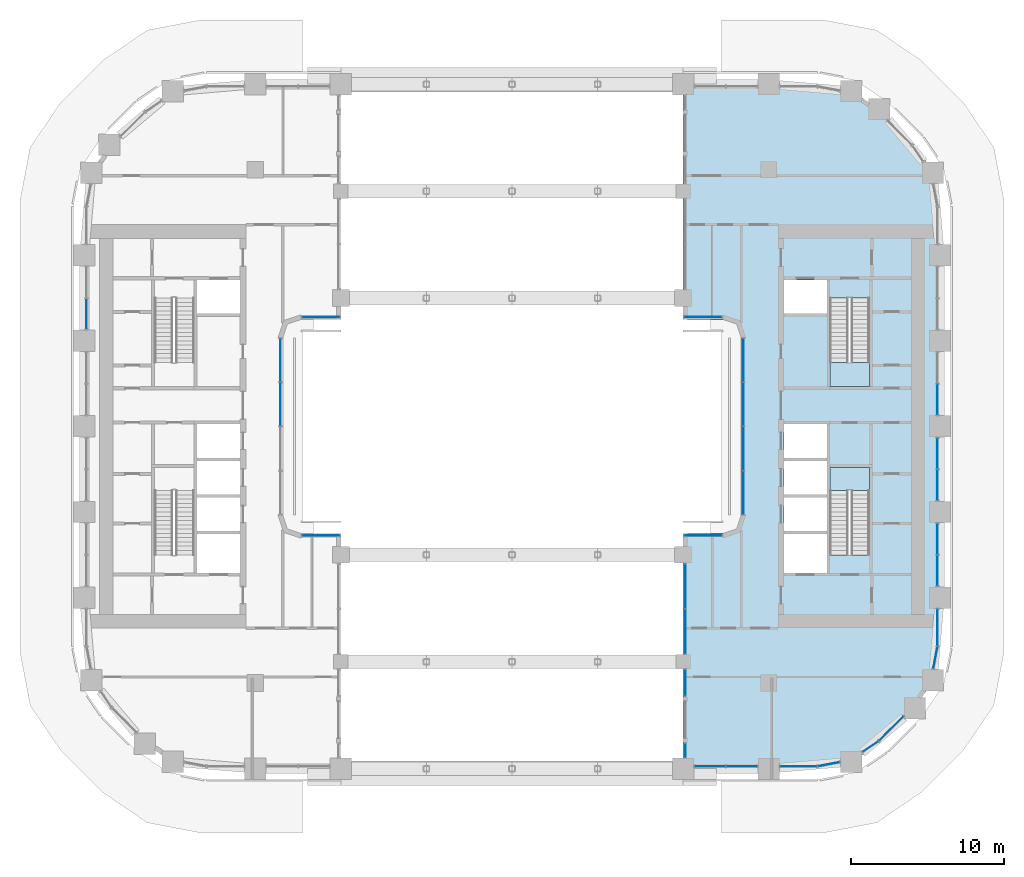
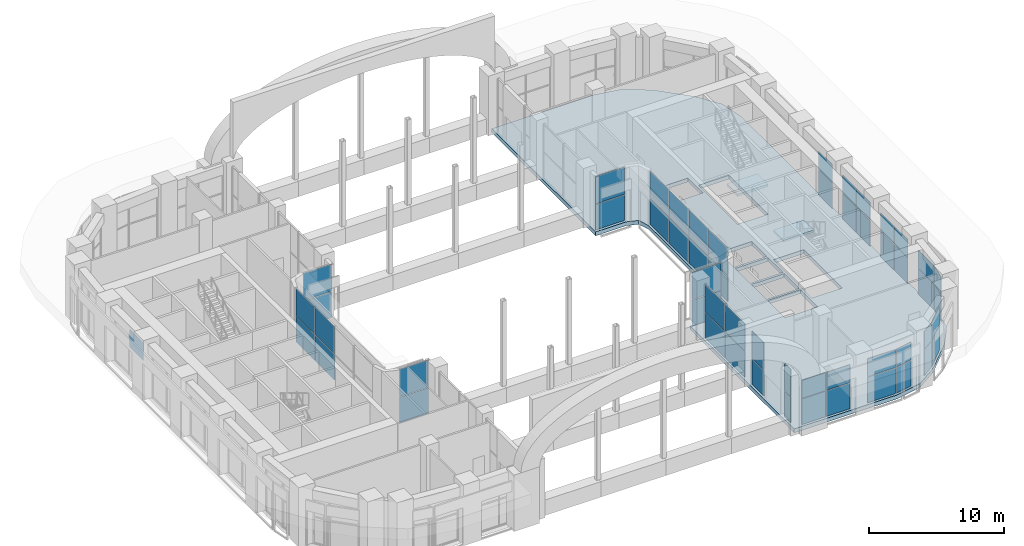
# One storey, part 12 of 27: 55 plates, 3 slabs, 22 elements without a shape of their own.
"""IFC4 building model written with IfcOpenShell, lengths in metres."""

from ifc_helpers import new_model, si_unit, direction, frame, origin, origin_2d, place, context, subcontext, project, spatial, polyline, rectangle, outline, extrude, material, layer, layer_set, type_object, element, aggregate, save


model = new_model("IFC4")

# Units and contexts
model_context = context("Model", 3, precision=1e-05, world=origin(), true_north=direction((0.0, 1.0)))
body_context = subcontext(model_context, "Body", "Model", "MODEL_VIEW")
ifc_project = project(units=[si_unit("LENGTHUNIT", "METRE"), si_unit("AREAUNIT", "SQUARE_METRE"), si_unit("VOLUMEUNIT", "CUBIC_METRE"), si_unit("PLANEANGLEUNIT", "RADIAN"), si_unit("MASSUNIT", "GRAM", prefix="KILO")], contexts=[model_context])

# Site, building, storey
site_placement = place(None, origin())
site = spatial("IfcSite", under=ifc_project, at=site_placement, CompositionType="ELEMENT")
building_placement = place(site_placement, origin())
building = spatial("IfcBuilding", under=site, at=building_placement, Name="Kiln Ring Residences", CompositionType="ELEMENT")
storey_placement = place(building_placement, frame((0.0, 0.0, 72.5)))
storey = spatial("IfcBuildingStorey", under=building, at=storey_placement, Name="L18", CompositionType="ELEMENT", Elevation=72.5)

# Stair, slab
ifc_material_1 = material(Name="Concrete C40/50", Category="concrete")
stair_type = type_object("IfcStairType", Name="CORE-STAIR", PredefinedType="HALF_TURN_STAIR", material=ifc_material_1)
placement_1 = place(storey_placement, origin())
stair_1 = element("IfcStair", 1, at=placement_1, inside=storey, type_object=stair_type, Name="L18 stair E-STN", PredefinedType="HALF_TURN_STAIR")
ifc_material_2 = material(Name="Concrete C40/50", Category="concrete")
ifc_layer_1 = layer(ifc_material_2, 0.199951171875)
ifc_layer_set_1 = layer_set([ifc_layer_1], Name="CORE-STAIR-LANDING")
slab_type_1 = type_object("IfcSlabType", Name="CORE-STAIR-LANDING", PredefinedType="LANDING", material=ifc_layer_set_1)
placement_2 = place(storey_placement, frame((0.0, 0.0, 2.5)))
slab_1 = element("IfcSlab", 2, at=placement_2, type_object=slab_type_1, Name="E-STN landing 1", PredefinedType="LANDING", context=body_context, shape_type="SweptSolid", body=[
    extrude(outline(polyline([(20.800048828125, 4.199951171875), (20.800048828125, 2.60009765625), (23.39990234375, 2.60009765625), (23.39990234375, 4.199951171875), (20.800048828125, 4.199951171875)])), origin(), (0.0, 0.0, 1.0), 0.199951171875),
])
aggregate(stair_1, [slab_1])

stair_2 = element("IfcStair", 3, at=placement_1, inside=storey, type_object=stair_type, Name="L18 stair E-STS", PredefinedType="HALF_TURN_STAIR")
slab_2 = element("IfcSlab", 4, at=placement_2, type_object=slab_type_1, Name="E-STS landing 1", PredefinedType="LANDING", context=body_context, shape_type="SweptSolid", body=[
    extrude(outline(polyline([(23.39990234375, -4.199951171875), (23.39990234375, -2.699951171875), (20.800048828125, -2.699951171875), (20.800048828125, -4.199951171875), (23.39990234375, -4.199951171875)])), origin(), (0.0, 0.0, 1.0), 0.199951171875),
])
aggregate(stair_2, [slab_2])

# Curtain wall, plates
ifc_material_3 = material(Name="Aluminium and glass", Category="aluminium")
ifc_layer_2 = layer(ifc_material_3, 0.199951171875)
ifc_layer_set_2 = layer_set([ifc_layer_2], Name="CW1 CURTAIN WALL")
curtain_wall_type = type_object("IfcCurtainWallType", Name="CW1 CURTAIN WALL", PredefinedType="NOTDEFINED", material=ifc_layer_set_2)
curtain_wall_1 = element("IfcCurtainWall", 5, at=placement_1, inside=storey, type_object=curtain_wall_type, Name="Curtain wall CW1 L18", PredefinedType="NOTDEFINED")
ifc_material_4 = material(Name="Glass, low-e laminated", Category="glass")
ifc_layer_3 = layer(ifc_material_4, 0.028076171875)
ifc_layer_set_3 = layer_set([ifc_layer_3], Name="CW1 PANEL 28")
plate_type = type_object("IfcPlateType", Name="CW1 PANEL 28", PredefinedType="CURTAIN_PANEL", material=ifc_layer_set_3)
plate_1_placement = place(storey_placement, frame((-12.5, -7.14990234375, 0.06005859375), z_axis=(0.0, 0.0, 1.0), x_axis=(-1.0, 0.0, 0.0)))
plate_1 = element("IfcPlate", 6, at=plate_1_placement, type_object=plate_type, Name="CW1 panel 1.1", PredefinedType="CURTAIN_PANEL", context=body_context, shape_type="SweptSolid", body=[
    extrude(rectangle(XDim=2.47998046875, YDim=0.028076171875, at=origin_2d()), origin(), (0.0, 0.0, 1.0), 2.31005859375),
])
plate_2_placement = place(storey_placement, frame((-12.5, -7.14990234375, 2.429931640625), z_axis=(0.0, 0.0, 1.0), x_axis=(-1.0, 0.0, 0.0)))
plate_2 = element("IfcPlate", 7, at=plate_2_placement, type_object=plate_type, Name="CW1 panel 1.2", PredefinedType="CURTAIN_PANEL", context=body_context, shape_type="SweptSolid", body=[
    extrude(rectangle(XDim=2.47998046875, YDim=0.028076171875, at=origin_2d()), origin(), (0.0, 0.0, 1.0), 2.4599609375),
])
aggregate(curtain_wall_1, [plate_1, plate_2])

curtain_wall_2 = element("IfcCurtainWall", 8, at=placement_1, inside=storey, type_object=curtain_wall_type, Name="Curtain wall CW1 L18", PredefinedType="NOTDEFINED")
plate_3_placement = place(storey_placement, frame((-15.14990234375, 1.449951171875, 0.06005859375), z_axis=(0.0, 0.0, 1.0), x_axis=(0.0, 1.0, 0.0)))
plate_3 = element("IfcPlate", 9, at=plate_3_placement, type_object=plate_type, Name="CW1 panel 3.1", PredefinedType="CURTAIN_PANEL", context=body_context, shape_type="SweptSolid", body=[
    extrude(rectangle(XDim=2.840087890625, YDim=0.028076171875, at=origin_2d()), origin(), (0.0, 0.0, 1.0), 2.31005859375),
])
plate_4_placement = place(storey_placement, frame((-15.14990234375, 1.449951171875, 2.429931640625), z_axis=(0.0, 0.0, 1.0), x_axis=(0.0, 1.0, 0.0)))
plate_4 = element("IfcPlate", 10, at=plate_4_placement, type_object=plate_type, Name="CW1 panel 3.2", PredefinedType="CURTAIN_PANEL", context=body_context, shape_type="SweptSolid", body=[
    extrude(rectangle(XDim=2.840087890625, YDim=0.028076171875, at=origin_2d()), origin(), (0.0, 0.0, 1.0), 2.4599609375),
])
plate_5_placement = place(storey_placement, frame((-15.14990234375, 4.3349609375, 0.06005859375), z_axis=(0.0, 0.0, 1.0), x_axis=(0.0, 1.0, 0.0)))
plate_5 = element("IfcPlate", 11, at=plate_5_placement, type_object=plate_type, Name="CW1 panel 4.1", PredefinedType="CURTAIN_PANEL", context=body_context, shape_type="SweptSolid", body=[
    extrude(rectangle(XDim=2.81005859375, YDim=0.028076171875, at=origin_2d()), origin(), (0.0, 0.0, 1.0), 2.31005859375),
])
plate_6_placement = place(storey_placement, frame((-15.14990234375, 4.3349609375, 2.429931640625), z_axis=(0.0, 0.0, 1.0), x_axis=(0.0, 1.0, 0.0)))
plate_6 = element("IfcPlate", 12, at=plate_6_placement, type_object=plate_type, Name="CW1 panel 4.2", PredefinedType="CURTAIN_PANEL", context=body_context, shape_type="SweptSolid", body=[
    extrude(rectangle(XDim=2.81005859375, YDim=0.028076171875, at=origin_2d()), origin(), (0.0, 0.0, 1.0), 2.4599609375),
])
aggregate(curtain_wall_2, [plate_3, plate_4, plate_5, plate_6])

curtain_wall_3 = element("IfcCurtainWall", 13, at=placement_1, inside=storey, type_object=curtain_wall_type, Name="Curtain wall CW1 L18", PredefinedType="NOTDEFINED")
plate_7_placement = place(storey_placement, frame((-12.5, 7.14990234375, 0.06005859375), z_axis=(0.0, 0.0, 1.0), x_axis=(1.0, 0.0, 0.0)))
plate_7 = element("IfcPlate", 14, at=plate_7_placement, type_object=plate_type, Name="CW1 panel 1.1", PredefinedType="CURTAIN_PANEL", context=body_context, shape_type="SweptSolid", body=[
    extrude(rectangle(XDim=2.47998046875, YDim=0.028076171875, at=origin_2d()), origin(), (0.0, 0.0, 1.0), 2.31005859375),
])
plate_8_placement = place(storey_placement, frame((-12.5, 7.14990234375, 2.429931640625), z_axis=(0.0, 0.0, 1.0), x_axis=(1.0, 0.0, 0.0)))
plate_8 = element("IfcPlate", 15, at=plate_8_placement, type_object=plate_type, Name="CW1 panel 1.2", PredefinedType="CURTAIN_PANEL", context=body_context, shape_type="SweptSolid", body=[
    extrude(rectangle(XDim=2.47998046875, YDim=0.028076171875, at=origin_2d()), origin(), (0.0, 0.0, 1.0), 2.4599609375),
])
aggregate(curtain_wall_3, [plate_7, plate_8])

# Curtain wall, plate
curtain_wall_4 = element("IfcCurtainWall", 16, at=placement_1, inside=storey, type_object=curtain_wall_type, Name="Curtain wall CW1 L18", PredefinedType="NOTDEFINED")
plate_9_placement = place(storey_placement, frame((-27.85009765625, 7.364990234375, 2.43017578125), z_axis=(0.0, 0.0, 1.0), x_axis=(0.0, -1.0, 0.0)))
plate_9 = element("IfcPlate", 17, at=plate_9_placement, type_object=plate_type, Name="CW1 panel 2.2", PredefinedType="CURTAIN_PANEL", context=body_context, shape_type="SweptSolid", body=[
    extrude(rectangle(XDim=2.010009765625, YDim=0.028076171875, at=origin_2d()), origin(), (0.0, 0.0, 1.0), 1.610107421875),
])
aggregate(curtain_wall_4, [plate_9])

# Curtain wall, plates
curtain_wall_5 = element("IfcCurtainWall", 18, at=placement_1, inside=storey, type_object=curtain_wall_type, Name="Curtain wall CW1 L18", PredefinedType="NOTDEFINED")
plate_10_placement = place(storey_placement, frame((12.5, -7.14990234375, 0.06005859375), z_axis=(0.0, 0.0, 1.0), x_axis=(-1.0, 0.0, 0.0)))
plate_10 = element("IfcPlate", 19, at=plate_10_placement, type_object=plate_type, Name="CW1 panel 1.1", PredefinedType="CURTAIN_PANEL", context=body_context, shape_type="SweptSolid", body=[
    extrude(rectangle(XDim=2.47998046875, YDim=0.028076171875, at=origin_2d()), origin(), (0.0, 0.0, 1.0), 2.31005859375),
])
plate_11_placement = place(storey_placement, frame((12.5, -7.14990234375, 2.429931640625), z_axis=(0.0, 0.0, 1.0), x_axis=(-1.0, 0.0, 0.0)))
plate_11 = element("IfcPlate", 20, at=plate_11_placement, type_object=plate_type, Name="CW1 panel 1.2", PredefinedType="CURTAIN_PANEL", context=body_context, shape_type="SweptSolid", body=[
    extrude(rectangle(XDim=2.47998046875, YDim=0.028076171875, at=origin_2d()), origin(), (0.0, 0.0, 1.0), 2.4599609375),
])
aggregate(curtain_wall_5, [plate_10, plate_11])

curtain_wall_6 = element("IfcCurtainWall", 21, at=placement_1, inside=storey, type_object=curtain_wall_type, Name="Curtain wall CW1 L18", PredefinedType="NOTDEFINED")
plate_12_placement = place(storey_placement, frame((11.35009765625, -10.458740234375, 0.06005859375), z_axis=(0.0, 0.0, 1.0), x_axis=(0.0, -1.0, 0.0)))
plate_12 = element("IfcPlate", 22, at=plate_12_placement, type_object=plate_type, Name="CW1 panel 1.1", PredefinedType="CURTAIN_PANEL", context=body_context, shape_type="SweptSolid", body=[
    extrude(rectangle(XDim=2.8974609375, YDim=0.028076171875, at=origin_2d()), origin(), (0.0, 0.0, 1.0), 2.31005859375),
])
plate_13_placement = place(storey_placement, frame((11.35009765625, -10.458740234375, 2.429931640625), z_axis=(0.0, 0.0, 1.0), x_axis=(0.0, -1.0, 0.0)))
plate_13 = element("IfcPlate", 23, at=plate_13_placement, type_object=plate_type, Name="CW1 panel 1.2", PredefinedType="CURTAIN_PANEL", context=body_context, shape_type="SweptSolid", body=[
    extrude(rectangle(XDim=2.8974609375, YDim=0.028076171875, at=origin_2d()), origin(), (0.0, 0.0, 1.0), 2.4599609375),
])
plate_14_placement = place(storey_placement, frame((11.35009765625, -13.416259765625, 0.06005859375), z_axis=(0.0, 0.0, 1.0), x_axis=(0.0, -1.0, 0.0)))
plate_14 = element("IfcPlate", 24, at=plate_14_placement, type_object=plate_type, Name="CW1 panel 2.1", PredefinedType="CURTAIN_PANEL", context=body_context, shape_type="SweptSolid", body=[
    extrude(rectangle(XDim=2.8974609375, YDim=0.028076171875, at=origin_2d()), origin(), (0.0, 0.0, 1.0), 2.31005859375),
])
plate_15_placement = place(storey_placement, frame((11.35009765625, -13.416259765625, 2.429931640625), z_axis=(0.0, 0.0, 1.0), x_axis=(0.0, -1.0, 0.0)))
plate_15 = element("IfcPlate", 25, at=plate_15_placement, type_object=plate_type, Name="CW1 panel 2.2", PredefinedType="CURTAIN_PANEL", context=body_context, shape_type="SweptSolid", body=[
    extrude(rectangle(XDim=2.8974609375, YDim=0.028076171875, at=origin_2d()), origin(), (0.0, 0.0, 1.0), 2.4599609375),
])
aggregate(curtain_wall_6, [plate_12, plate_13, plate_14, plate_15])

curtain_wall_7 = element("IfcCurtainWall", 26, at=placement_1, inside=storey, type_object=curtain_wall_type, Name="Curtain wall CW1 L18", PredefinedType="NOTDEFINED")
plate_16_placement = place(storey_placement, frame((11.35009765625, -16.78759765625, 0.06005859375), z_axis=(0.0, 0.0, 1.0), x_axis=(0.0, -1.0, 0.0)))
plate_16 = element("IfcPlate", 27, at=plate_16_placement, type_object=plate_type, Name="CW1 panel 1.1", PredefinedType="CURTAIN_PANEL", context=body_context, shape_type="SweptSolid", body=[
    extrude(rectangle(XDim=1.705078125, YDim=0.028076171875, at=origin_2d()), origin(), (0.0, 0.0, 1.0), 2.31005859375),
])
plate_17_placement = place(storey_placement, frame((11.35009765625, -16.78759765625, 2.429931640625), z_axis=(0.0, 0.0, 1.0), x_axis=(0.0, -1.0, 0.0)))
plate_17 = element("IfcPlate", 28, at=plate_17_placement, type_object=plate_type, Name="CW1 panel 1.2", PredefinedType="CURTAIN_PANEL", context=body_context, shape_type="SweptSolid", body=[
    extrude(rectangle(XDim=1.705078125, YDim=0.028076171875, at=origin_2d()), origin(), (0.0, 0.0, 1.0), 2.4599609375),
])
aggregate(curtain_wall_7, [plate_16, plate_17])

curtain_wall_8 = element("IfcCurtainWall", 29, at=placement_1, inside=storey, type_object=curtain_wall_type, Name="Curtain wall CW1 L18", PredefinedType="NOTDEFINED")
plate_18_placement = place(storey_placement, frame((11.35009765625, -21.199951171875, 0.06005859375), z_axis=(0.0, 0.0, 1.0), x_axis=(0.0, -1.0, 0.0)))
plate_18 = element("IfcPlate", 30, at=plate_18_placement, type_object=plate_type, Name="CW1 panel 1.1", PredefinedType="CURTAIN_PANEL", context=body_context, shape_type="SweptSolid", body=[
    extrude(rectangle(XDim=0.8798828125, YDim=0.028076171875, at=origin_2d()), origin(), (0.0, 0.0, 1.0), 2.31005859375),
])
plate_19_placement = place(storey_placement, frame((11.35009765625, -21.199951171875, 2.429931640625), z_axis=(0.0, 0.0, 1.0), x_axis=(0.0, -1.0, 0.0)))
plate_19 = element("IfcPlate", 31, at=plate_19_placement, type_object=plate_type, Name="CW1 panel 1.2", PredefinedType="CURTAIN_PANEL", context=body_context, shape_type="SweptSolid", body=[
    extrude(rectangle(XDim=0.8798828125, YDim=0.028076171875, at=origin_2d()), origin(), (0.0, 0.0, 1.0), 2.4599609375),
])
aggregate(curtain_wall_8, [plate_18, plate_19])

curtain_wall_9 = element("IfcCurtainWall", 32, at=placement_1, inside=storey, type_object=curtain_wall_type, Name="Curtain wall CW1 L18", PredefinedType="NOTDEFINED")
plate_20_placement = place(storey_placement, frame((12.965087890625, -22.25, 0.06005859375), z_axis=(0.0, 0.0, 1.0), x_axis=(1.0, 0.0, 0.0)))
plate_20 = element("IfcPlate", 33, at=plate_20_placement, type_object=plate_type, Name="CW1 panel 1.1", PredefinedType="CURTAIN_PANEL", context=body_context, shape_type="SweptSolid", body=[
    extrude(rectangle(XDim=2.010009765625, YDim=0.028076171875, at=origin_2d()), origin(), (0.0, 0.0, 1.0), 2.31005859375),
])
plate_21_placement = place(storey_placement, frame((12.965087890625, -22.25, 2.43017578125), z_axis=(0.0, 0.0, 1.0), x_axis=(1.0, 0.0, 0.0)))
plate_21 = element("IfcPlate", 34, at=plate_21_placement, type_object=plate_type, Name="CW1 panel 1.2", PredefinedType="CURTAIN_PANEL", context=body_context, shape_type="SweptSolid", body=[
    extrude(rectangle(XDim=2.010009765625, YDim=0.028076171875, at=origin_2d()), origin(), (0.0, 0.0, 1.0), 1.610107421875),
])
plate_22_placement = place(storey_placement, frame((15.034912109375, -22.25, 0.06005859375), z_axis=(0.0, 0.0, 1.0), x_axis=(1.0, 0.0, 0.0)))
plate_22 = element("IfcPlate", 35, at=plate_22_placement, type_object=plate_type, Name="CW1 panel 2.1", PredefinedType="CURTAIN_PANEL", context=body_context, shape_type="SweptSolid", body=[
    extrude(rectangle(XDim=2.010009765625, YDim=0.028076171875, at=origin_2d()), origin(), (0.0, 0.0, 1.0), 2.31005859375),
])
plate_23_placement = place(storey_placement, frame((15.034912109375, -22.25, 2.43017578125), z_axis=(0.0, 0.0, 1.0), x_axis=(1.0, 0.0, 0.0)))
plate_23 = element("IfcPlate", 36, at=plate_23_placement, type_object=plate_type, Name="CW1 panel 2.2", PredefinedType="CURTAIN_PANEL", context=body_context, shape_type="SweptSolid", body=[
    extrude(rectangle(XDim=2.010009765625, YDim=0.028076171875, at=origin_2d()), origin(), (0.0, 0.0, 1.0), 1.610107421875),
])
aggregate(curtain_wall_9, [plate_20, plate_21, plate_22, plate_23])

curtain_wall_10 = element("IfcCurtainWall", 37, at=placement_1, inside=storey, type_object=curtain_wall_type, Name="Curtain wall CW1 L18", PredefinedType="NOTDEFINED")
plate_24_placement = place(storey_placement, frame((18.75, -22.25, 0.06005859375), z_axis=(0.0, 0.0, 1.0), x_axis=(1.0, 0.0, 0.0)))
plate_24 = element("IfcPlate", 38, at=plate_24_placement, type_object=plate_type, Name="CW1 panel 1.1", PredefinedType="CURTAIN_PANEL", context=body_context, shape_type="SweptSolid", body=[
    extrude(rectangle(XDim=2.3798828125, YDim=0.028076171875, at=origin_2d()), origin(), (0.0, 0.0, 1.0), 2.31005859375),
])
plate_25_placement = place(storey_placement, frame((18.75, -22.25, 2.43017578125), z_axis=(0.0, 0.0, 1.0), x_axis=(1.0, 0.0, 0.0)))
plate_25 = element("IfcPlate", 39, at=plate_25_placement, type_object=plate_type, Name="CW1 panel 1.2", PredefinedType="CURTAIN_PANEL", context=body_context, shape_type="SweptSolid", body=[
    extrude(rectangle(XDim=2.3798828125, YDim=0.028076171875, at=origin_2d()), origin(), (0.0, 0.0, 1.0), 1.610107421875),
])
aggregate(curtain_wall_10, [plate_24, plate_25])

curtain_wall_11 = element("IfcCurtainWall", 40, at=placement_1, inside=storey, type_object=curtain_wall_type, Name="Curtain wall CW1 L18", PredefinedType="NOTDEFINED")
plate_26_placement = place(storey_placement, frame((20.736083984375, -22.10693359375, 0.06005859375), z_axis=(0.0, 0.0, 1.0), x_axis=(0.982290257793, 0.187365550313, 0.0)))
plate_26 = element("IfcPlate", 41, at=plate_26_placement, type_object=plate_type, Name="CW1 panel 1.1", PredefinedType="CURTAIN_PANEL", context=body_context, shape_type="SweptSolid", body=[
    extrude(rectangle(XDim=1.43603515625, YDim=0.028076171875, at=origin_2d()), origin(), (0.0, 0.0, 1.0), 2.31005859375),
])
plate_27_placement = place(storey_placement, frame((20.736083984375, -22.10693359375, 2.43017578125), z_axis=(0.0, 0.0, 1.0), x_axis=(0.982290257793, 0.187365550313, 0.0)))
plate_27 = element("IfcPlate", 42, at=plate_27_placement, type_object=plate_type, Name="CW1 panel 1.2", PredefinedType="CURTAIN_PANEL", context=body_context, shape_type="SweptSolid", body=[
    extrude(rectangle(XDim=1.43603515625, YDim=0.028076171875, at=origin_2d()), origin(), (0.0, 0.0, 1.0), 1.610107421875),
])
aggregate(curtain_wall_11, [plate_26, plate_27])

curtain_wall_12 = element("IfcCurtainWall", 43, at=placement_1, inside=storey, type_object=curtain_wall_type, Name="Curtain wall CW1 L18", PredefinedType="NOTDEFINED")
plate_28_placement = place(storey_placement, frame((23.460693359375, -20.9541015625, 0.06005859375), z_axis=(0.0, 0.0, 1.0), x_axis=(0.827071553439, 0.56209665138, 0.0)))
plate_28 = element("IfcPlate", 44, at=plate_28_placement, type_object=plate_type, Name="CW1 panel 1.1", PredefinedType="CURTAIN_PANEL", context=body_context, shape_type="SweptSolid", body=[
    extrude(rectangle(XDim=1.21484375, YDim=0.028076171875, at=origin_2d()), origin(), (0.0, 0.0, 1.0), 2.31005859375),
])
plate_29_placement = place(storey_placement, frame((23.460693359375, -20.9541015625, 2.43017578125), z_axis=(0.0, 0.0, 1.0), x_axis=(0.827071553439, 0.56209665138, 0.0)))
plate_29 = element("IfcPlate", 45, at=plate_29_placement, type_object=plate_type, Name="CW1 panel 1.2", PredefinedType="CURTAIN_PANEL", context=body_context, shape_type="SweptSolid", body=[
    extrude(rectangle(XDim=1.21484375, YDim=0.028076171875, at=origin_2d()), origin(), (0.0, 0.0, 1.0), 1.610107421875),
])
aggregate(curtain_wall_12, [plate_28, plate_29])

curtain_wall_13 = element("IfcCurtainWall", 46, at=placement_1, inside=storey, type_object=curtain_wall_type, Name="Curtain wall CW1 L18", PredefinedType="NOTDEFINED")
plate_30_placement = place(storey_placement, frame((24.825439453125, -19.762451171875, 0.06005859375), z_axis=(0.0, 0.0, 1.0), x_axis=(0.707106781187, 0.707106781187, 0.0)))
plate_30 = element("IfcPlate", 47, at=plate_30_placement, type_object=plate_type, Name="CW1 panel 1.1", PredefinedType="CURTAIN_PANEL", context=body_context, shape_type="SweptSolid", body=[
    extrude(rectangle(XDim=2.239990234375, YDim=0.028076171875, at=origin_2d()), origin(), (0.0, 0.0, 1.0), 2.31005859375),
])
plate_31_placement = place(storey_placement, frame((24.825439453125, -19.762451171875, 2.43017578125), z_axis=(0.0, 0.0, 1.0), x_axis=(0.707106781187, 0.707106781187, 0.0)))
plate_31 = element("IfcPlate", 48, at=plate_31_placement, type_object=plate_type, Name="CW1 panel 1.2", PredefinedType="CURTAIN_PANEL", context=body_context, shape_type="SweptSolid", body=[
    extrude(rectangle(XDim=2.239990234375, YDim=0.028076171875, at=origin_2d()), origin(), (0.0, 0.0, 1.0), 1.610107421875),
])
aggregate(curtain_wall_13, [plate_30, plate_31])

curtain_wall_14 = element("IfcCurtainWall", 49, at=placement_1, inside=storey, type_object=curtain_wall_type, Name="Curtain wall CW1 L18", PredefinedType="NOTDEFINED")
plate_32_placement = place(storey_placement, frame((27.706787109375, -15.13623046875, 0.06005859375), z_axis=(0.0, 0.0, 1.0), x_axis=(0.187365550313, 0.982290257793, 0.0)))
plate_32 = element("IfcPlate", 50, at=plate_32_placement, type_object=plate_type, Name="CW1 panel 1.1", PredefinedType="CURTAIN_PANEL", context=body_context, shape_type="SweptSolid", body=[
    extrude(rectangle(XDim=1.43603515625, YDim=0.028076171875, at=origin_2d()), origin(), (0.0, 0.0, 1.0), 2.31005859375),
])
plate_33_placement = place(storey_placement, frame((27.706787109375, -15.13623046875, 2.43017578125), z_axis=(0.0, 0.0, 1.0), x_axis=(0.187365550313, 0.982290257793, 0.0)))
plate_33 = element("IfcPlate", 51, at=plate_33_placement, type_object=plate_type, Name="CW1 panel 1.2", PredefinedType="CURTAIN_PANEL", context=body_context, shape_type="SweptSolid", body=[
    extrude(rectangle(XDim=1.43603515625, YDim=0.028076171875, at=origin_2d()), origin(), (0.0, 0.0, 1.0), 1.610107421875),
])
aggregate(curtain_wall_14, [plate_32, plate_33])

curtain_wall_15 = element("IfcCurtainWall", 52, at=placement_1, inside=storey, type_object=curtain_wall_type, Name="Curtain wall CW1 L18", PredefinedType="NOTDEFINED")
plate_34_placement = place(storey_placement, frame((27.85009765625, -13.14990234375, 0.06005859375), z_axis=(0.0, 0.0, 1.0), x_axis=(0.0, 1.0, 0.0)))
plate_34 = element("IfcPlate", 53, at=plate_34_placement, type_object=plate_type, Name="CW1 panel 1.1", PredefinedType="CURTAIN_PANEL", context=body_context, shape_type="SweptSolid", body=[
    extrude(rectangle(XDim=2.3798828125, YDim=0.028076171875, at=origin_2d()), origin(), (0.0, 0.0, 1.0), 2.31005859375),
])
plate_35_placement = place(storey_placement, frame((27.85009765625, -13.14990234375, 2.43017578125), z_axis=(0.0, 0.0, 1.0), x_axis=(0.0, 1.0, 0.0)))
plate_35 = element("IfcPlate", 54, at=plate_35_placement, type_object=plate_type, Name="CW1 panel 1.2", PredefinedType="CURTAIN_PANEL", context=body_context, shape_type="SweptSolid", body=[
    extrude(rectangle(XDim=2.3798828125, YDim=0.028076171875, at=origin_2d()), origin(), (0.0, 0.0, 1.0), 1.610107421875),
])
aggregate(curtain_wall_15, [plate_34, plate_35])

curtain_wall_16 = element("IfcCurtainWall", 55, at=placement_1, inside=storey, type_object=curtain_wall_type, Name="Curtain wall CW1 L18", PredefinedType="NOTDEFINED")
plate_36_placement = place(storey_placement, frame((27.85009765625, -9.43505859375, 0.06005859375), z_axis=(0.0, 0.0, 1.0), x_axis=(0.0, 1.0, 0.0)))
plate_36 = element("IfcPlate", 56, at=plate_36_placement, type_object=plate_type, Name="CW1 panel 1.1", PredefinedType="CURTAIN_PANEL", context=body_context, shape_type="SweptSolid", body=[
    extrude(rectangle(XDim=2.010009765625, YDim=0.028076171875, at=origin_2d()), origin(), (0.0, 0.0, 1.0), 2.31005859375),
])
plate_37_placement = place(storey_placement, frame((27.85009765625, -9.43505859375, 2.43017578125), z_axis=(0.0, 0.0, 1.0), x_axis=(0.0, 1.0, 0.0)))
plate_37 = element("IfcPlate", 57, at=plate_37_placement, type_object=plate_type, Name="CW1 panel 1.2", PredefinedType="CURTAIN_PANEL", context=body_context, shape_type="SweptSolid", body=[
    extrude(rectangle(XDim=2.010009765625, YDim=0.028076171875, at=origin_2d()), origin(), (0.0, 0.0, 1.0), 1.610107421875),
])
plate_38_placement = place(storey_placement, frame((27.85009765625, -7.364990234375, 0.06005859375), z_axis=(0.0, 0.0, 1.0), x_axis=(0.0, 1.0, 0.0)))
plate_38 = element("IfcPlate", 58, at=plate_38_placement, type_object=plate_type, Name="CW1 panel 2.1", PredefinedType="CURTAIN_PANEL", context=body_context, shape_type="SweptSolid", body=[
    extrude(rectangle(XDim=2.010009765625, YDim=0.028076171875, at=origin_2d()), origin(), (0.0, 0.0, 1.0), 2.31005859375),
])
plate_39_placement = place(storey_placement, frame((27.85009765625, -7.364990234375, 2.43017578125), z_axis=(0.0, 0.0, 1.0), x_axis=(0.0, 1.0, 0.0)))
plate_39 = element("IfcPlate", 59, at=plate_39_placement, type_object=plate_type, Name="CW1 panel 2.2", PredefinedType="CURTAIN_PANEL", context=body_context, shape_type="SweptSolid", body=[
    extrude(rectangle(XDim=2.010009765625, YDim=0.028076171875, at=origin_2d()), origin(), (0.0, 0.0, 1.0), 1.610107421875),
])
aggregate(curtain_wall_16, [plate_36, plate_37, plate_38, plate_39])

curtain_wall_17 = element("IfcCurtainWall", 60, at=placement_1, inside=storey, type_object=curtain_wall_type, Name="Curtain wall CW1 L18", PredefinedType="NOTDEFINED")
plate_40_placement = place(storey_placement, frame((27.85009765625, -3.8349609375, 0.06005859375), z_axis=(0.0, 0.0, 1.0), x_axis=(0.0, 1.0, 0.0)))
plate_40 = element("IfcPlate", 61, at=plate_40_placement, type_object=plate_type, Name="CW1 panel 1.1", PredefinedType="CURTAIN_PANEL", context=body_context, shape_type="SweptSolid", body=[
    extrude(rectangle(XDim=2.010009765625, YDim=0.028076171875, at=origin_2d()), origin(), (0.0, 0.0, 1.0), 2.31005859375),
])
plate_41_placement = place(storey_placement, frame((27.85009765625, -3.8349609375, 2.43017578125), z_axis=(0.0, 0.0, 1.0), x_axis=(0.0, 1.0, 0.0)))
plate_41 = element("IfcPlate", 62, at=plate_41_placement, type_object=plate_type, Name="CW1 panel 1.2", PredefinedType="CURTAIN_PANEL", context=body_context, shape_type="SweptSolid", body=[
    extrude(rectangle(XDim=2.010009765625, YDim=0.028076171875, at=origin_2d()), origin(), (0.0, 0.0, 1.0), 1.610107421875),
])
plate_42_placement = place(storey_placement, frame((27.85009765625, -1.764892578125, 0.06005859375), z_axis=(0.0, 0.0, 1.0), x_axis=(0.0, 1.0, 0.0)))
plate_42 = element("IfcPlate", 63, at=plate_42_placement, type_object=plate_type, Name="CW1 panel 2.1", PredefinedType="CURTAIN_PANEL", context=body_context, shape_type="SweptSolid", body=[
    extrude(rectangle(XDim=2.010009765625, YDim=0.028076171875, at=origin_2d()), origin(), (0.0, 0.0, 1.0), 2.31005859375),
])
plate_43_placement = place(storey_placement, frame((27.85009765625, -1.764892578125, 2.43017578125), z_axis=(0.0, 0.0, 1.0), x_axis=(0.0, 1.0, 0.0)))
plate_43 = element("IfcPlate", 64, at=plate_43_placement, type_object=plate_type, Name="CW1 panel 2.2", PredefinedType="CURTAIN_PANEL", context=body_context, shape_type="SweptSolid", body=[
    extrude(rectangle(XDim=2.010009765625, YDim=0.028076171875, at=origin_2d()), origin(), (0.0, 0.0, 1.0), 1.610107421875),
])
aggregate(curtain_wall_17, [plate_40, plate_41, plate_42, plate_43])

curtain_wall_18 = element("IfcCurtainWall", 65, at=placement_1, inside=storey, type_object=curtain_wall_type, Name="Curtain wall CW1 L18", PredefinedType="NOTDEFINED")
plate_44_placement = place(storey_placement, frame((27.85009765625, 1.764892578125, 0.06005859375), z_axis=(0.0, 0.0, 1.0), x_axis=(0.0, 1.0, 0.0)))
plate_44 = element("IfcPlate", 66, at=plate_44_placement, type_object=plate_type, Name="CW1 panel 1.1", PredefinedType="CURTAIN_PANEL", context=body_context, shape_type="SweptSolid", body=[
    extrude(rectangle(XDim=2.010009765625, YDim=0.028076171875, at=origin_2d()), origin(), (0.0, 0.0, 1.0), 2.31005859375),
])
plate_45_placement = place(storey_placement, frame((27.85009765625, 1.764892578125, 2.43017578125), z_axis=(0.0, 0.0, 1.0), x_axis=(0.0, 1.0, 0.0)))
plate_45 = element("IfcPlate", 67, at=plate_45_placement, type_object=plate_type, Name="CW1 panel 1.2", PredefinedType="CURTAIN_PANEL", context=body_context, shape_type="SweptSolid", body=[
    extrude(rectangle(XDim=2.010009765625, YDim=0.028076171875, at=origin_2d()), origin(), (0.0, 0.0, 1.0), 1.610107421875),
])
aggregate(curtain_wall_18, [plate_44, plate_45])

curtain_wall_19 = element("IfcCurtainWall", 68, at=placement_1, inside=storey, type_object=curtain_wall_type, Name="Curtain wall CW1 L18", PredefinedType="NOTDEFINED")
plate_46_placement = place(storey_placement, frame((12.5, 7.14990234375, 0.06005859375), z_axis=(0.0, 0.0, 1.0), x_axis=(1.0, 0.0, 0.0)))
plate_46 = element("IfcPlate", 69, at=plate_46_placement, type_object=plate_type, Name="CW1 panel 1.1", PredefinedType="CURTAIN_PANEL", context=body_context, shape_type="SweptSolid", body=[
    extrude(rectangle(XDim=2.47998046875, YDim=0.028076171875, at=origin_2d()), origin(), (0.0, 0.0, 1.0), 2.31005859375),
])
plate_47_placement = place(storey_placement, frame((12.5, 7.14990234375, 2.429931640625), z_axis=(0.0, 0.0, 1.0), x_axis=(1.0, 0.0, 0.0)))
plate_47 = element("IfcPlate", 70, at=plate_47_placement, type_object=plate_type, Name="CW1 panel 1.2", PredefinedType="CURTAIN_PANEL", context=body_context, shape_type="SweptSolid", body=[
    extrude(rectangle(XDim=2.47998046875, YDim=0.028076171875, at=origin_2d()), origin(), (0.0, 0.0, 1.0), 2.4599609375),
])
aggregate(curtain_wall_19, [plate_46, plate_47])

curtain_wall_20 = element("IfcCurtainWall", 71, at=placement_1, inside=storey, type_object=curtain_wall_type, Name="Curtain wall CW1 L18", PredefinedType="NOTDEFINED")
plate_48_placement = place(storey_placement, frame((15.14990234375, 4.3349609375, 0.06005859375), z_axis=(0.0, 0.0, 1.0), x_axis=(0.0, -1.0, 0.0)))
plate_48 = element("IfcPlate", 72, at=plate_48_placement, type_object=plate_type, Name="CW1 panel 1.1", PredefinedType="CURTAIN_PANEL", context=body_context, shape_type="SweptSolid", body=[
    extrude(rectangle(XDim=2.81005859375, YDim=0.028076171875, at=origin_2d()), origin(), (0.0, 0.0, 1.0), 2.31005859375),
])
plate_49_placement = place(storey_placement, frame((15.14990234375, 4.3349609375, 2.429931640625), z_axis=(0.0, 0.0, 1.0), x_axis=(0.0, -1.0, 0.0)))
plate_49 = element("IfcPlate", 73, at=plate_49_placement, type_object=plate_type, Name="CW1 panel 1.2", PredefinedType="CURTAIN_PANEL", context=body_context, shape_type="SweptSolid", body=[
    extrude(rectangle(XDim=2.81005859375, YDim=0.028076171875, at=origin_2d()), origin(), (0.0, 0.0, 1.0), 2.4599609375),
])
plate_50_placement = place(storey_placement, frame((15.14990234375, 1.449951171875, 0.06005859375), z_axis=(0.0, 0.0, 1.0), x_axis=(0.0, -1.0, 0.0)))
plate_50 = element("IfcPlate", 74, at=plate_50_placement, type_object=plate_type, Name="CW1 panel 2.1", PredefinedType="CURTAIN_PANEL", context=body_context, shape_type="SweptSolid", body=[
    extrude(rectangle(XDim=2.840087890625, YDim=0.028076171875, at=origin_2d()), origin(), (0.0, 0.0, 1.0), 2.31005859375),
])
plate_51_placement = place(storey_placement, frame((15.14990234375, 1.449951171875, 2.429931640625), z_axis=(0.0, 0.0, 1.0), x_axis=(0.0, -1.0, 0.0)))
plate_51 = element("IfcPlate", 75, at=plate_51_placement, type_object=plate_type, Name="CW1 panel 2.2", PredefinedType="CURTAIN_PANEL", context=body_context, shape_type="SweptSolid", body=[
    extrude(rectangle(XDim=2.840087890625, YDim=0.028076171875, at=origin_2d()), origin(), (0.0, 0.0, 1.0), 2.4599609375),
])
plate_52_placement = place(storey_placement, frame((15.14990234375, -1.449951171875, 0.06005859375), z_axis=(0.0, 0.0, 1.0), x_axis=(0.0, -1.0, 0.0)))
plate_52 = element("IfcPlate", 76, at=plate_52_placement, type_object=plate_type, Name="CW1 panel 3.1", PredefinedType="CURTAIN_PANEL", context=body_context, shape_type="SweptSolid", body=[
    extrude(rectangle(XDim=2.840087890625, YDim=0.028076171875, at=origin_2d()), origin(), (0.0, 0.0, 1.0), 2.31005859375),
])
plate_53_placement = place(storey_placement, frame((15.14990234375, -1.449951171875, 2.429931640625), z_axis=(0.0, 0.0, 1.0), x_axis=(0.0, -1.0, 0.0)))
plate_53 = element("IfcPlate", 77, at=plate_53_placement, type_object=plate_type, Name="CW1 panel 3.2", PredefinedType="CURTAIN_PANEL", context=body_context, shape_type="SweptSolid", body=[
    extrude(rectangle(XDim=2.840087890625, YDim=0.028076171875, at=origin_2d()), origin(), (0.0, 0.0, 1.0), 2.4599609375),
])
plate_54_placement = place(storey_placement, frame((15.14990234375, -4.3349609375, 0.06005859375), z_axis=(0.0, 0.0, 1.0), x_axis=(0.0, -1.0, 0.0)))
plate_54 = element("IfcPlate", 78, at=plate_54_placement, type_object=plate_type, Name="CW1 panel 4.1", PredefinedType="CURTAIN_PANEL", context=body_context, shape_type="SweptSolid", body=[
    extrude(rectangle(XDim=2.81005859375, YDim=0.028076171875, at=origin_2d()), origin(), (0.0, 0.0, 1.0), 2.31005859375),
])
plate_55_placement = place(storey_placement, frame((15.14990234375, -4.3349609375, 2.429931640625), z_axis=(0.0, 0.0, 1.0), x_axis=(0.0, -1.0, 0.0)))
plate_55 = element("IfcPlate", 79, at=plate_55_placement, type_object=plate_type, Name="CW1 panel 4.2", PredefinedType="CURTAIN_PANEL", context=body_context, shape_type="SweptSolid", body=[
    extrude(rectangle(XDim=2.81005859375, YDim=0.028076171875, at=origin_2d()), origin(), (0.0, 0.0, 1.0), 2.4599609375),
])
aggregate(curtain_wall_20, [plate_48, plate_49, plate_50, plate_51, plate_52, plate_53, plate_54, plate_55])

# Slab
ifc_material_5 = material(Name="Concrete C40/50", Category="concrete")
ifc_layer_4 = layer(ifc_material_5, 0.35009765625)
ifc_layer_set_4 = layer_set([ifc_layer_4], Name="Floor slab 350")
slab_type_2 = type_object("IfcSlabType", Name="Floor slab 350", PredefinedType="FLOOR", material=ifc_layer_set_4)
slab_3_placement = place(storey_placement, frame((0.0, 0.0, -0.35009765625)))
element("IfcSlab", 80, at=slab_3_placement, inside=storey, type_object=slab_type_2, Name="Floor slab L18 2", PredefinedType="FLOOR", context=body_context, shape_type="SweptSolid", body=[
    extrude(outline(polyline([(13.800048828125, -7.0), (11.199951171875, -7.0), (11.199951171875, -22.39990234375), (20.0, -22.39990234375), (22.224365234375, -21.975830078125), (24.09716796875, -20.702880859375), (26.302978515625, -18.4970703125), (27.57568359375, -16.624267578125), (28.0, -14.39990234375), (28.0, 14.39990234375), (27.57568359375, 16.624267578125), (26.302978515625, 18.4970703125), (24.09716796875, 20.702880859375), (22.224365234375, 21.975830078125), (20.0, 22.39990234375), (11.199951171875, 22.39990234375), (11.199951171875, 7.0), (13.800048828125, 7.0), (14.699951171875, 6.699951171875), (15.0, 5.800048828125), (15.0, -5.800048828125), (14.699951171875, -6.699951171875), (13.800048828125, -7.0)]), holes=[polyline([(20.800048828125, -8.39794921875), (20.800048828125, -2.699951171875), (23.39990234375, -2.699951171875), (23.39990234375, -8.39794921875), (20.800048828125, -8.39794921875)]), polyline([(20.800048828125, 2.60009765625), (20.800048828125, 8.39794921875), (23.39990234375, 8.39794921875), (23.39990234375, 2.60009765625), (20.800048828125, 2.60009765625)]), polyline([(17.800048828125, -6.85009765625), (17.800048828125, -4.64990234375), (20.60009765625, -4.64990234375), (20.60009765625, -6.85009765625), (17.800048828125, -6.85009765625)]), polyline([(17.800048828125, -4.449951171875), (17.800048828125, -2.25), (20.60009765625, -2.25), (20.60009765625, -4.449951171875), (17.800048828125, -4.449951171875)]), polyline([(17.800048828125, -2.050048828125), (17.800048828125, 0.14990234375), (20.60009765625, 0.14990234375), (20.60009765625, -2.050048828125), (17.800048828125, -2.050048828125)]), polyline([(17.800048828125, 7.39990234375), (17.800048828125, 9.60009765625), (20.60009765625, 9.60009765625), (20.60009765625, 7.39990234375), (17.800048828125, 7.39990234375)]), polyline([(20.60009765625, -9.60009765625), (17.800048828125, -9.60009765625), (17.800048828125, -7.050048828125), (20.60009765625, -7.050048828125), (20.60009765625, -9.60009765625)])]), origin(), (0.0, 0.0, 1.0), 0.35009765625),
])

save(model, "model.ifc")
